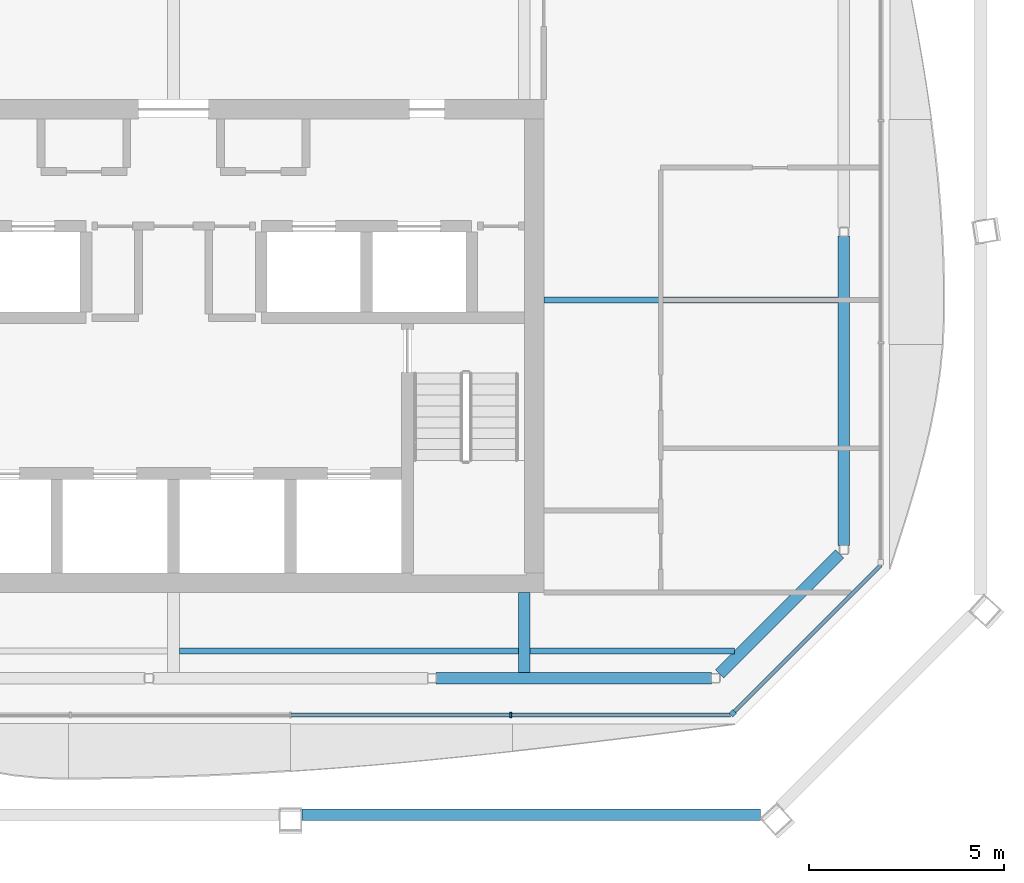
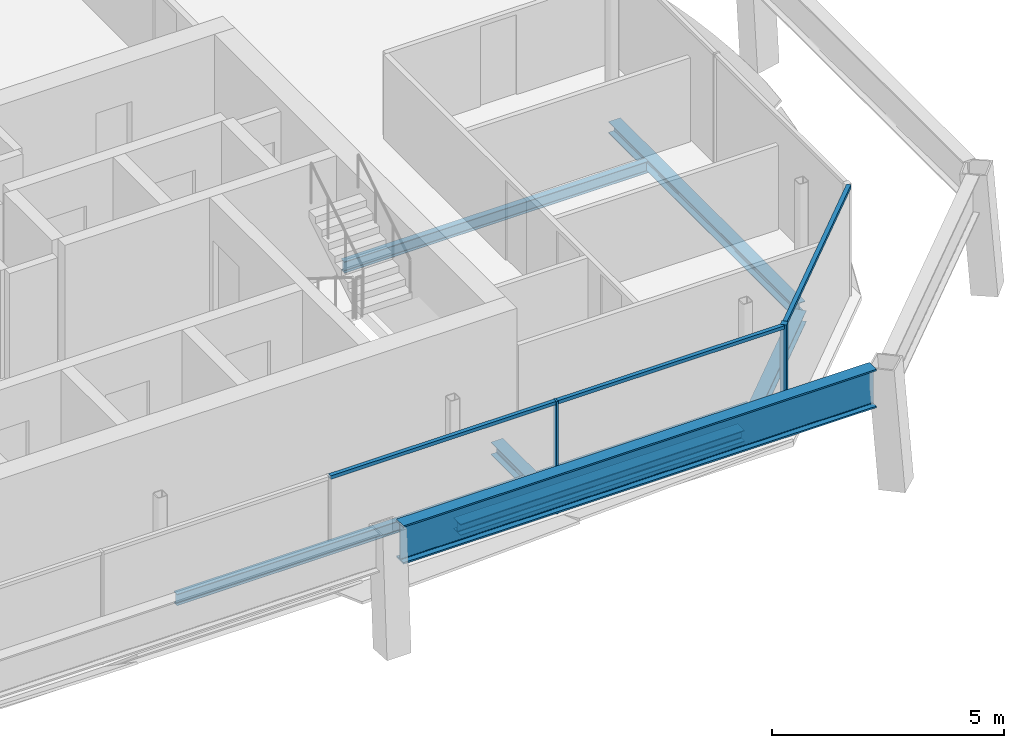
# One storey, part 4 of 14: 8 beams, 5 members, 2 elements without a shape of their own.
"""IFC4 building model written with IfcOpenShell, lengths in metres."""

from ifc_helpers import new_model, si_unit, direction, frame, origin, origin_2d, place, context, subcontext, project, spatial, rectangle, i_section, extrude, material, material_profile, profile_set, type_object, element, aggregate, save


model = new_model("IFC4")

# Units and contexts
model_context = context("Model", 3, precision=1e-05, world=origin(), true_north=direction((0.0, 1.0)))
body_context = subcontext(model_context, "Body", "Model", "MODEL_VIEW")
ifc_project = project(units=[si_unit("LENGTHUNIT", "METRE"), si_unit("AREAUNIT", "SQUARE_METRE"), si_unit("VOLUMEUNIT", "CUBIC_METRE"), si_unit("PLANEANGLEUNIT", "RADIAN"), si_unit("MASSUNIT", "GRAM", prefix="KILO")], contexts=[model_context])

# Site, building, storey
site_placement = place(None, origin())
site = spatial("IfcSite", under=ifc_project, at=site_placement, CompositionType="ELEMENT")
building_placement = place(site_placement, origin())
building = spatial("IfcBuilding", under=site, at=building_placement, Name="Tskaro Facet Tower", CompositionType="ELEMENT")
storey_placement = place(building_placement, frame((0.0, 0.0, 294.14990234375)))
storey = spatial("IfcBuildingStorey", under=building, at=storey_placement, Name="L79", CompositionType="ELEMENT", Elevation=294.14990234375)

# Curtain wall, member
ifc_material_1 = material(Name="Bronze anodised aluminium 6063-T6", Category="aluminium")
curtain_wall_type = type_object("IfcCurtainWallType", Name="Bronze residence curtain wall (FW3)", PredefinedType="NOTDEFINED", material=ifc_material_1)
curtain_wall_1_placement = place(storey_placement, origin())
curtain_wall_1 = element("IfcCurtainWall", 1, at=curtain_wall_1_placement, inside=storey, type_object=curtain_wall_type, Name="FW3 south-east facet L79", PredefinedType="NOTDEFINED")
ifc_material_profile_1 = material_profile(ifc_material_1, rectangle(XDim=0.139892578125, YDim=0.139892578125, at=origin_2d()), Name="Corner post 140x140")
ifc_profile_set_1 = profile_set([ifc_material_profile_1], Name="Bronze anodised aluminium 6063-T6")
member_type_1 = type_object("IfcMemberType", Name="FW3 bronze corner post 140x140", PredefinedType="MULLION", material=ifc_profile_set_1)
member_1_placement = place(storey_placement, frame((14.345458984375, -15.1005859375, 0.0), z_axis=(0.0, 0.0, 1.0), x_axis=(0.707106781187, 0.707106781187, 0.0)))
member_1 = element("IfcMember", 2, at=member_1_placement, type_object=member_type_1, Name="FW3 south-east corner post", PredefinedType="MULLION", context=body_context, shape_type="SweptSolid", body=[
    extrude(rectangle(XDim=0.139892578125, YDim=0.139892578125, at=origin_2d()), origin(), (0.0, 0.0, 1.0), 2.9501953125),
])

# Curtain wall, members
curtain_wall_2_placement = place(storey_placement, origin())
curtain_wall_2 = element("IfcCurtainWall", 3, at=curtain_wall_2_placement, inside=storey, type_object=curtain_wall_type, Name="FW3 south facet L79", PredefinedType="NOTDEFINED")
ifc_material_profile_2 = material_profile(ifc_material_1, rectangle(XDim=0.050048828125, YDim=0.139892578125, at=origin_2d()), Name="Mullion 50x140")
ifc_profile_set_2 = profile_set([ifc_material_profile_2], Name="Bronze anodised aluminium 6063-T6")
member_type_2 = type_object("IfcMemberType", Name="FW3 bronze mullion 50x140", PredefinedType="MULLION", material=ifc_profile_set_2)
member_2_placement = place(storey_placement, frame((8.64794921875, -15.14990234375, 0.0), z_axis=(0.0, 0.0, 1.0), x_axis=(1.0, 0.0, 0.0)))
member_2 = element("IfcMember", 4, at=member_2_placement, type_object=member_type_2, Name="FW3 south mullion 3", PredefinedType="MULLION", context=body_context, shape_type="SweptSolid", body=[
    extrude(rectangle(XDim=0.050048828125, YDim=0.139892578125, at=origin_2d()), origin(), (0.0, 0.0, 1.0), 2.9501953125),
])
ifc_material_profile_3 = material_profile(ifc_material_1, rectangle(XDim=0.10009765625, YDim=0.090087890625, at=origin_2d()), Name="Transom 100x90")
ifc_profile_set_3 = profile_set([ifc_material_profile_3], Name="Bronze anodised aluminium 6063-T6")
member_type_3 = type_object("IfcMemberType", Name="FW3 bronze transom 100x90", PredefinedType="USERDEFINED", material=ifc_profile_set_3)
member_3_placement = place(storey_placement, frame((3.02490234375, -15.14990234375, 2.905029296875), z_axis=(1.0, 0.0, 0.0), x_axis=(0.0, 1.0, 0.0)))
member_3 = element("IfcMember", 5, at=member_3_placement, type_object=member_type_3, Name="FW3 south transom 3.1", ObjectType="TRANSOM", PredefinedType="USERDEFINED", context=body_context, shape_type="SweptSolid", body=[
    extrude(rectangle(XDim=0.10009765625, YDim=0.090087890625, at=origin_2d()), origin(), (0.0, 0.0, 1.0), 5.59814453125),
])
member_4_placement = place(storey_placement, frame((8.673095703125, -15.14990234375, 2.905029296875), z_axis=(1.0, 0.0, 0.0), x_axis=(0.0, 1.0, 0.0)))
member_4 = element("IfcMember", 6, at=member_4_placement, type_object=member_type_3, Name="FW3 south transom 4.1", ObjectType="TRANSOM", PredefinedType="USERDEFINED", context=body_context, shape_type="SweptSolid", body=[
    extrude(rectangle(XDim=0.10009765625, YDim=0.090087890625, at=origin_2d()), origin(), (0.0, 0.0, 1.0), 5.622802734375),
])
aggregate(curtain_wall_2, [member_2, member_3, member_4])

# Member
member_5_placement = place(storey_placement, frame((14.39501953125, -15.051025390625, 2.905029296875), z_axis=(0.707083793693, 0.707129767932, 0.0), x_axis=(-0.707129767932, 0.707083793693, 0.0)))
member_5 = element("IfcMember", 7, at=member_5_placement, type_object=member_type_3, Name="FW3 south-east transom 1.1", ObjectType="TRANSOM", PredefinedType="USERDEFINED", context=body_context, shape_type="SweptSolid", body=[
    extrude(rectangle(XDim=0.10009765625, YDim=0.090087890625, at=origin_2d()), origin(), (0.0, 0.0, 1.0), 5.310302734375),
])

aggregate(curtain_wall_1, [member_1, member_5])

# Beams
ifc_material_2 = material(Name="Steel S355J2", Category="steel")
ifc_material_profile_4 = material_profile(ifc_material_2, i_section(OverallWidth=0.302001953125, OverallDepth=1.008056640625, WebThickness=0.02099609375, FlangeThickness=0.0400390625, FilletRadius=0.030029296875, at=origin_2d()), Name="HE 1000 M")
ifc_profile_set_4 = profile_set([ifc_material_profile_4], Name="Steel S355J2")
beam_type_1 = type_object("IfcBeamType", Name="HE 1000 M crown ring beam", PredefinedType="BEAM", material=ifc_profile_set_4)
beam_1_placement = place(storey_placement, frame((3.300048828125, -17.701904296875, 2.64599609375), z_axis=(1.0, 0.0, 0.0), x_axis=(0.0, 1.0, 0.0)))
element("IfcBeam", 8, at=beam_1_placement, inside=storey, type_object=beam_type_1, Name="HE 1000 M CR02-6", PredefinedType="BEAM", context=body_context, shape_type="SweptSolid", body=[
    extrude(i_section(OverallWidth=0.302001953125, OverallDepth=1.008056640625, WebThickness=0.02099609375, FlangeThickness=0.0400390625, FilletRadius=0.030029296875, at=origin_2d()), origin(), (0.0, 0.0, 1.0), 11.75390625),
])
ifc_material_profile_5 = material_profile(ifc_material_2, i_section(OverallWidth=0.300048828125, OverallDepth=0.300048828125, WebThickness=0.010986328125, FlangeThickness=0.01904296875, FilletRadius=0.027099609375, at=origin_2d()), Name="HE 300 B")
ifc_profile_set_5 = profile_set([ifc_material_profile_5], Name="Steel S355J2")
beam_type_2 = type_object("IfcBeamType", Name="HE 300 B ring beam", PredefinedType="BEAM", material=ifc_profile_set_5)
beam_2_placement = place(storey_placement, frame((6.739013671875, -14.199951171875, -0.289794921875), z_axis=(1.0, 0.0, 0.0), x_axis=(0.0, 1.0, 0.0)))
element("IfcBeam", 9, at=beam_2_placement, inside=storey, type_object=beam_type_2, Name="HE 300 B EB3-6", PredefinedType="BEAM", context=body_context, shape_type="SweptSolid", body=[
    extrude(i_section(OverallWidth=0.300048828125, OverallDepth=0.300048828125, WebThickness=0.010986328125, FlangeThickness=0.01904296875, FilletRadius=0.027099609375, at=origin_2d()), origin(), (0.0, 0.0, 1.0), 7.05908203125),
])
beam_3_placement = place(storey_placement, frame((14.013916015625, -14.089111328125, -0.289794921875), z_axis=(0.707106781187, 0.707106781187, 0.0), x_axis=(-0.707106781187, 0.707106781187, 0.0)))
element("IfcBeam", 10, at=beam_3_placement, inside=storey, type_object=beam_type_2, Name="HE 300 B EB4-6", PredefinedType="BEAM", context=body_context, shape_type="SweptSolid", body=[
    extrude(i_section(OverallWidth=0.300048828125, OverallDepth=0.300048828125, WebThickness=0.010986328125, FlangeThickness=0.01904296875, FilletRadius=0.027099609375, at=origin_2d()), origin(), (0.0, 0.0, 1.0), 4.348876953125),
])
beam_4_placement = place(storey_placement, frame((17.199951171875, -10.798095703125, -0.289794921875), z_axis=(0.0, 1.0, 0.0), x_axis=(-1.0, 0.0, 0.0)))
element("IfcBeam", 11, at=beam_4_placement, inside=storey, type_object=beam_type_2, Name="HE 300 B EB5-6", PredefinedType="BEAM", context=body_context, shape_type="SweptSolid", body=[
    extrude(i_section(OverallWidth=0.300048828125, OverallDepth=0.300048828125, WebThickness=0.010986328125, FlangeThickness=0.01904296875, FilletRadius=0.027099609375, at=origin_2d()), origin(), (0.0, 0.0, 1.0), 7.943115234375),
])
ifc_material_profile_6 = material_profile(ifc_material_2, i_section(OverallWidth=0.300048828125, OverallDepth=0.330078125, WebThickness=0.009521484375, FlangeThickness=0.0166015625, FilletRadius=0.027099609375, at=origin_2d()), Name="HE 340 A")
ifc_profile_set_6 = profile_set([ifc_material_profile_6], Name="Steel S355J2")
beam_type_3 = type_object("IfcBeamType", Name="HE 340 A girder", PredefinedType="BEAM", material=ifc_profile_set_6)
beam_5_placement = place(storey_placement, frame((9.0, -14.050048828125, -0.304931640625), z_axis=(0.0, 1.0, 0.0), x_axis=(-1.0, 0.0, 0.0)))
element("IfcBeam", 12, at=beam_5_placement, inside=storey, type_object=beam_type_3, Name="HE 340 A GB5-1-6", PredefinedType="BEAM", context=body_context, shape_type="SweptSolid", body=[
    extrude(i_section(OverallWidth=0.300048828125, OverallDepth=0.330078125, WebThickness=0.009521484375, FlangeThickness=0.0166015625, FilletRadius=0.027099609375, at=origin_2d()), origin(), (0.0, 0.0, 1.0), 2.050048828125),
])
ifc_material_profile_7 = material_profile(ifc_material_2, i_section(OverallWidth=0.14990234375, OverallDepth=0.300048828125, WebThickness=0.007080078125, FlangeThickness=0.0107421875, FilletRadius=0.014892578125, at=origin_2d()), Name="IPE 300")
ifc_profile_set_7 = profile_set([ifc_material_profile_7], Name="Steel S355J2")
beam_type_4 = type_object("IfcBeamType", Name="IPE 300 secondary beam", PredefinedType="BEAM", material=ifc_profile_set_7)
beam_6_placement = place(storey_placement, frame((0.14990234375, -13.5, -0.289794921875), z_axis=(1.0, 0.0, 0.0), x_axis=(0.0, 1.0, 0.0)))
element("IfcBeam", 13, at=beam_6_placement, inside=storey, type_object=beam_type_4, Name="IPE 300 SB2a-2-6", PredefinedType="BEAM", context=body_context, shape_type="SweptSolid", body=[
    extrude(i_section(OverallWidth=0.14990234375, OverallDepth=0.300048828125, WebThickness=0.007080078125, FlangeThickness=0.0107421875, FilletRadius=0.014892578125, at=origin_2d()), origin(), (0.0, 0.0, 1.0), 8.7001953125),
])
beam_7_placement = place(storey_placement, frame((9.14990234375, -13.5, -0.289794921875), z_axis=(1.0, 0.0, 0.0), x_axis=(0.0, 1.0, 0.0)))
element("IfcBeam", 14, at=beam_7_placement, inside=storey, type_object=beam_type_4, Name="IPE 300 SB2a-3-6", PredefinedType="BEAM", context=body_context, shape_type="SweptSolid", body=[
    extrude(i_section(OverallWidth=0.14990234375, OverallDepth=0.300048828125, WebThickness=0.007080078125, FlangeThickness=0.0107421875, FilletRadius=0.014892578125, at=origin_2d()), origin(), (0.0, 0.0, 1.0), 5.2412109375),
])
beam_8_placement = place(storey_placement, frame((9.5, -4.5, -0.289794921875), z_axis=(1.0, 0.0, 0.0), x_axis=(0.0, 1.0, 0.0)))
element("IfcBeam", 15, at=beam_8_placement, inside=storey, type_object=beam_type_4, Name="IPE 300 SB3a-2-6", PredefinedType="BEAM", context=body_context, shape_type="SweptSolid", body=[
    extrude(i_section(OverallWidth=0.14990234375, OverallDepth=0.300048828125, WebThickness=0.007080078125, FlangeThickness=0.0107421875, FilletRadius=0.014892578125, at=origin_2d()), origin(), (0.0, 0.0, 1.0), 7.550048828125),
])

save(model, "model.ifc")
